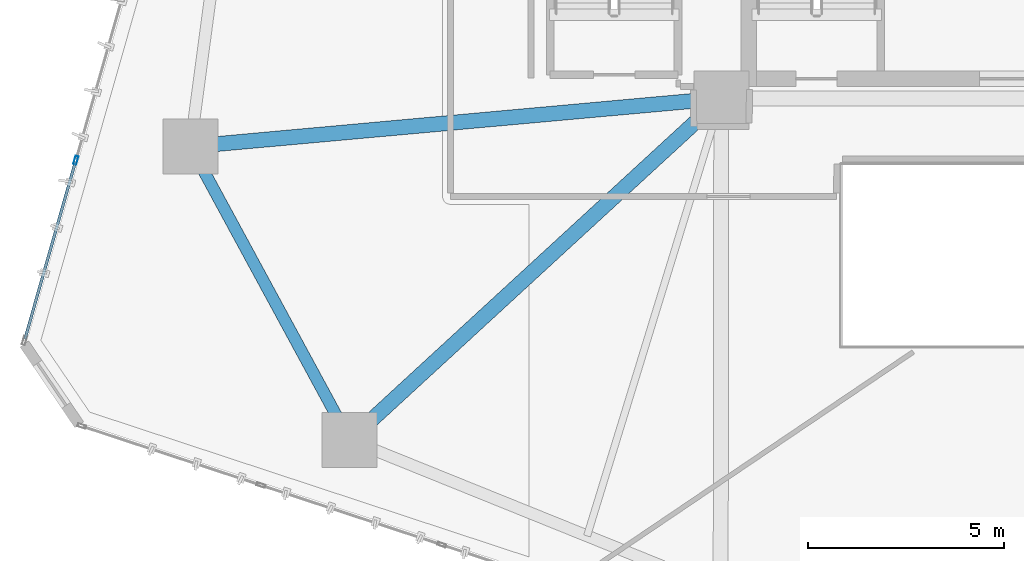
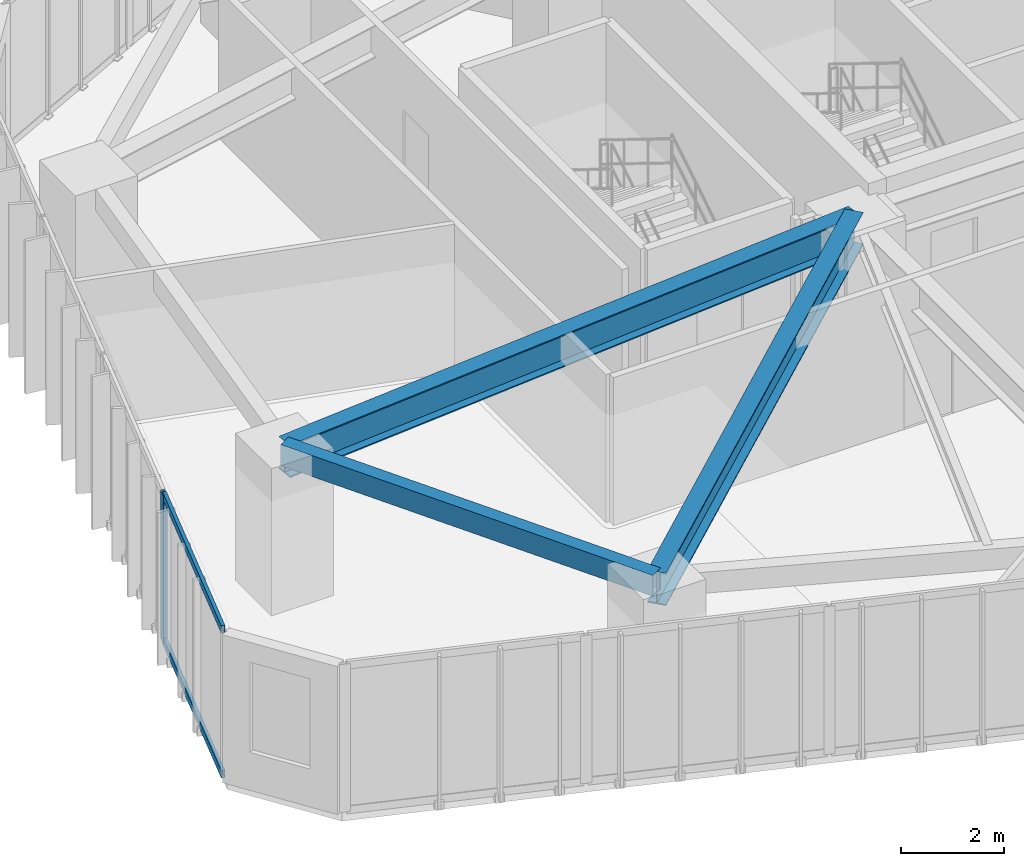
# One storey, part 3 of 23: 3 beams, 3 members, 1 element without a shape of its own.
"""IFC4 building model written with IfcOpenShell, lengths in metres."""

import ifcopenshell
import ifcopenshell.guid

model = None  # the IFC model being written
_history = None  # IfcOwnerHistory: only IFC2X3 demands one
_inside = {}  # id of a spatial element -> (the spatial element, [elements in it])
_under = {}  # id of a project, library or spatial element -> (it, [spatial elements below it])
_declared = {}  # id of a project -> (the project, [libraries it declares])
_typed = {}  # id of a type object -> (the type object, [elements of that type])
_made_of = {}  # id of a material, layer set ... -> (it, [elements and type objects made of it])


def new_model(schema):
    """Start an empty IFC model of exactly this schema.

    Asked for "IFC4X3", IfcOpenShell would pick the latest addendum, in which some entities
    have other attributes; the version numbers below select the first issue.
    IFC2X3 requires an IfcOwnerHistory on every rooted entity: one is made here for all.
    """
    global model, _history
    if schema == "IFC4X3":
        model = ifcopenshell.file(schema_version=(4, 3, 0, 0))
    else:
        model = ifcopenshell.file(schema=schema)
    _inside.clear()
    _under.clear()
    _declared.clear()
    _typed.clear()
    _made_of.clear()
    _history = None
    if model.schema == "IFC2X3":
        org = make("IfcOrganization", Name="unknown")
        user = make(
            "IfcPersonAndOrganization",
            ThePerson=make("IfcPerson", FamilyName="unknown"),
            TheOrganization=org,
        )
        app = make(
            "IfcApplication",
            ApplicationDeveloper=org,
            Version="unknown",
            ApplicationFullName="unknown",
            ApplicationIdentifier="unknown",
        )
        _history = make(
            "IfcOwnerHistory",
            OwningUser=user,
            OwningApplication=app,
            ChangeAction="ADDED",
            CreationDate=0,
        )
    return model


def make(cls, **values):
    """One entity of the class cls with the attributes given. An attribute that is None is left unset."""
    return model.create_entity(
        cls, **{name: value for name, value in values.items() if value is not None}
    )


def rooted(cls, **values):
    """An entity with a GlobalId (a new one), such as an element, a storey or a relation."""
    return make(cls, GlobalId=ifcopenshell.guid.new(), OwnerHistory=_history, **values)


def si_unit(unit_type, name, prefix=None):
    """IfcSIUnit, for example si_unit("LENGTHUNIT", "METRE", prefix="MILLI")."""
    return make("IfcSIUnit", UnitType=unit_type, Prefix=prefix, Name=name)


def assignment(units):
    """IfcUnitAssignment: the units of a project."""
    return None if units is None else make("IfcUnitAssignment", Units=units)


def point(xyz):
    """IfcCartesianPoint."""
    return None if xyz is None else make("IfcCartesianPoint", Coordinates=xyz)


def direction(xyz):
    """IfcDirection."""
    return None if xyz is None else make("IfcDirection", DirectionRatios=xyz)


def frame(location, z_axis=None, x_axis=None):
    """IfcAxis2Placement3D, a coordinate frame: its origin and axes. An axis left out is left unset."""
    return make(
        "IfcAxis2Placement3D",
        Location=point(location),
        Axis=direction(z_axis),
        RefDirection=direction(x_axis),
    )


def frame_2d(location, x_axis=None):
    """IfcAxis2Placement2D, a coordinate frame in the plane: its origin and x axis."""
    return make(
        "IfcAxis2Placement2D", Location=point(location), RefDirection=direction(x_axis)
    )


def origin():
    """The frame at (0, 0, 0) with its axes left unset."""
    return frame((0.0, 0.0, 0.0))


def origin_2d():
    """The frame at (0, 0) in the plane with its x axis left unset."""
    return frame_2d((0.0, 0.0))


def place(relative_to, where):
    """IfcLocalPlacement: puts the frame where relative to a parent placement (None: the world)."""
    return make(
        "IfcLocalPlacement", PlacementRelTo=relative_to, RelativePlacement=where
    )


def context(
    kind, dimensions, precision=None, world=None, true_north=None, identifier=None
):
    """IfcGeometricRepresentationContext, for example the 3D "Model" context."""
    return make(
        "IfcGeometricRepresentationContext",
        ContextIdentifier=identifier,
        ContextType=kind,
        CoordinateSpaceDimension=dimensions,
        Precision=precision,
        WorldCoordinateSystem=world,
        TrueNorth=true_north,
    )


def subcontext(parent, identifier, kind, view, scale=None):
    """IfcGeometricRepresentationSubContext, for example "Body" below "Model"."""
    return make(
        "IfcGeometricRepresentationSubContext",
        ContextIdentifier=identifier,
        ContextType=kind,
        ParentContext=parent,
        TargetScale=scale,
        TargetView=view,
    )


def project(units=None, contexts=None):
    """IfcProject with its units and contexts."""
    return rooted(
        "IfcProject",
        Name="project",
        RepresentationContexts=contexts,
        UnitsInContext=assignment(units),
    )


def spatial(cls, under=None, at=None, **own):
    """A site, building, storey or space (cls), placed at a placement, below another one or the project."""
    s = rooted(cls, ObjectPlacement=at, **own)
    if under is not None:
        _under.setdefault(under.id(), (under, []))[1].append(s)
    return s


def profile(cls, at=None, kind="AREA", **sizes):
    """A parametric profile (cls). Its sizes go by their IFC names, for example OverallWidth=200.0."""
    return make(cls, ProfileType=kind, Position=at, **sizes)


def hollow_rectangle(**sizes):
    """IfcRectangleHollowProfileDef."""
    return profile("IfcRectangleHollowProfileDef", **sizes)


def i_section(**sizes):
    """IfcIShapeProfileDef."""
    return profile("IfcIShapeProfileDef", **sizes)


def extrude(swept, where, along, depth):
    """IfcExtrudedAreaSolid: the profile swept, set in the frame where, extruded along a direction by depth."""
    return make(
        "IfcExtrudedAreaSolid",
        SweptArea=swept,
        Position=where,
        ExtrudedDirection=direction(along),
        Depth=depth,
    )


def shape(context_of_items, identifier, shape_type, items):
    """IfcShapeRepresentation: the items that make up one representation, for example the "Body"."""
    return make(
        "IfcShapeRepresentation",
        ContextOfItems=context_of_items,
        RepresentationIdentifier=identifier,
        RepresentationType=shape_type,
        Items=items,
    )


def source(mapping_origin, context_of_items, identifier, shape_type, items):
    """IfcRepresentationMap: a shape defined once, which mapped items show again and again."""
    return make(
        "IfcRepresentationMap",
        MappingOrigin=mapping_origin,
        MappedRepresentation=shape(context_of_items, identifier, shape_type, items),
    )


def transform(
    local_origin,
    x_axis=None,
    y_axis=None,
    z_axis=None,
    scale=None,
    scale2=None,
    scale3=None,
    uniform=True,
):
    """IfcCartesianTransformationOperator3D, or its non-uniform kind. x_axis, y_axis, z_axis: its Axis1, 2, 3."""
    if uniform:
        return make(
            "IfcCartesianTransformationOperator3D",
            Axis1=direction(x_axis),
            Axis2=direction(y_axis),
            LocalOrigin=point(local_origin),
            Scale=scale,
            Axis3=direction(z_axis),
        )
    return make(
        "IfcCartesianTransformationOperator3DnonUniform",
        Axis1=direction(x_axis),
        Axis2=direction(y_axis),
        LocalOrigin=point(local_origin),
        Scale=scale,
        Axis3=direction(z_axis),
        Scale2=scale2,
        Scale3=scale3,
    )


def mapped(mapping_source, mapping_target):
    """IfcMappedItem: shows the shape of a source again, moved by a transform."""
    return make(
        "IfcMappedItem", MappingSource=mapping_source, MappingTarget=mapping_target
    )


def material(Name=None, Category=None):
    """IfcMaterial."""
    return make("IfcMaterial", Name=Name, Category=Category)


def layer(
    of_material, thickness, ventilated=None, Name=None, Category=None, Priority=None
):
    """IfcMaterialLayer: one layer of a wall or slab, of a material (None: an air gap)."""
    return make(
        "IfcMaterialLayer",
        Material=of_material,
        LayerThickness=thickness,
        IsVentilated=ventilated,
        Name=Name,
        Category=Category,
        Priority=Priority,
    )


def layer_set(layers, Name=None):
    """IfcMaterialLayerSet."""
    return make("IfcMaterialLayerSet", MaterialLayers=layers, LayerSetName=Name)


def material_profile(
    of_material, cross_section, Name=None, Category=None, Priority=None
):
    """IfcMaterialProfile: a cross section and its material."""
    return make(
        "IfcMaterialProfile",
        Name=Name,
        Material=of_material,
        Profile=cross_section,
        Priority=Priority,
        Category=Category,
    )


def profile_set(profiles, Name=None, composite=None):
    """IfcMaterialProfileSet."""
    return make(
        "IfcMaterialProfileSet",
        Name=Name,
        MaterialProfiles=profiles,
        CompositeProfile=composite,
    )


def made_of(thing, what):
    """Note that an element or type object is made of a material, layer set ...; save() writes the relation."""
    if what is not None:
        _made_of.setdefault(what.id(), (what, []))[1].append(thing)
    return thing


def type_object(cls, material=None, **own):
    """A type object (cls), such as IfcWallType, which elements share."""
    return made_of(rooted(cls, **own), material)


def type_shapes(of_type, sources):
    """Give a type object the sources (RepresentationMaps) that its elements show as mapped items."""
    of_type.RepresentationMaps = sources


def element(
    cls,
    number,
    at=None,
    inside=None,
    cuts=None,
    type_object=None,
    material=None,
    context=None,
    identifier="Body",
    shape_type=None,
    held_by="IfcProductDefinitionShape",
    body=None,
    shapes=None,
    **own,
):
    """One element of the class cls, such as IfcWall. Its Tag is "e" and its number.

    at: its placement. inside: the storey or other place that contains it. cuts: it is an
    opening in that element (IfcRelVoidsElement). A single representation is given by context,
    identifier, shape_type and body (its items); several are given by shapes. held_by: the class
    of the entity that holds the representations. save() writes the other relations.
    """
    e = rooted(cls, Tag="e%d" % number, ObjectPlacement=at, **own)
    if body is not None:
        shapes = [shape(context, identifier, shape_type, body)]
    if shapes is not None:
        e.Representation = make(held_by, Representations=shapes)
    if inside is not None:
        _inside.setdefault(inside.id(), (inside, []))[1].append(e)
    if cuts is not None:
        rooted(
            "IfcRelVoidsElement", RelatingBuildingElement=cuts, RelatedOpeningElement=e
        )
    if type_object is not None:
        _typed.setdefault(type_object.id(), (type_object, []))[1].append(e)
    return made_of(e, material)


def aggregate(whole, parts):
    """IfcRelAggregates: a whole, such as a stair, and the parts it consists of."""
    return rooted("IfcRelAggregates", RelatingObject=whole, RelatedObjects=parts)


def save(model, path):
    """Write the relations noted so far, then the file.

    IfcRelAggregates (storeys below a building ...), IfcRelContainedInSpatialStructure (elements
    in a storey), IfcRelDefinesByType, IfcRelAssociatesMaterial and IfcRelDeclares: one each for
    every whole, place, type object, material and project.
    """
    for whole, parts in _under.values():
        aggregate(whole, parts)
    for where, things in _inside.values():
        rooted(
            "IfcRelContainedInSpatialStructure",
            RelatedElements=things,
            RelatingStructure=where,
        )
    for kind, things in _typed.values():
        rooted("IfcRelDefinesByType", RelatedObjects=things, RelatingType=kind)
    for what, things in _made_of.values():
        rooted("IfcRelAssociatesMaterial", RelatedObjects=things, RelatingMaterial=what)
    for by, libraries in _declared.values():
        rooted("IfcRelDeclares", RelatingContext=by, RelatedDefinitions=libraries)
    model.write(path)


model = new_model("IFC4")

# Units and contexts
model_context = context("Model", 3, precision=1e-05, world=origin(), true_north=direction((0.0, 1.0)))
body_context = subcontext(model_context, "Body", "Model", "MODEL_VIEW")
ifc_project = project(units=[si_unit("LENGTHUNIT", "METRE"), si_unit("AREAUNIT", "SQUARE_METRE"), si_unit("VOLUMEUNIT", "CUBIC_METRE"), si_unit("PLANEANGLEUNIT", "RADIAN"), si_unit("MASSUNIT", "GRAM", prefix="KILO")], contexts=[model_context])

# Site, building, storey
site_placement = place(None, origin())
site = spatial("IfcSite", under=ifc_project, at=site_placement, CompositionType="ELEMENT")
building_placement = place(site_placement, origin())
building = spatial("IfcBuilding", under=site, at=building_placement, Name="Talar Marvaseh", CompositionType="ELEMENT")
storey_placement = place(building_placement, frame((0.0, 0.0, 35.39990234375)))
storey = spatial("IfcBuildingStorey", under=building, at=storey_placement, Name="L08", CompositionType="ELEMENT", Elevation=35.39990234375)

# Beams
ifc_material_1 = material(Name="Steel S355", Category="steel")
ifc_material_profile_1 = material_profile(ifc_material_1, hollow_rectangle(XDim=0.300048828125, YDim=0.5, WallThickness=0.02001953125, at=origin_2d()), Name="RHS500x300x20")
ifc_profile_set_1 = profile_set([ifc_material_profile_1], Name="Steel S355")
beam_type_1 = type_object("IfcBeamType", Name="Zone 1 Perimeter Spandrel Beam RHS500x300x20", PredefinedType="SPANDREL", material=ifc_profile_set_1)
beam_1_placement = place(storey_placement, frame((9.23193359375, 16.7958984375, 3.27001953125), z_axis=(-0.476758155578, 0.879034505062, 0.0), x_axis=(-0.879034505062, -0.476758155578, 0.0)))
element("IfcBeam", 1, at=beam_1_placement, inside=storey, type_object=beam_type_1, Name="L08 Zone 1 Perimeter Spandrel Beam RHS500x300x20", PredefinedType="SPANDREL", context=body_context, shape_type="SweptSolid", body=[
    extrude(hollow_rectangle(XDim=0.300048828125, YDim=0.5, WallThickness=0.02001953125, at=origin_2d()), origin(), (0.0, 0.0, 1.0), 8.50927734375),
])
ifc_material_profile_2 = material_profile(ifc_material_1, i_section(OverallWidth=0.381103515625, OverallDepth=0.77294921875, WebThickness=0.0166015625, FlangeThickness=0.027099609375, at=origin_2d()), Name="W760x257")
ifc_profile_set_2 = profile_set([ifc_material_profile_2], Name="Steel S355")
beam_type_2 = type_object("IfcBeamType", Name="Zone 1 Radial Floor Girder W760x257", PredefinedType="BEAM", material=ifc_profile_set_2)
beam_2_placement = place(storey_placement, frame((9.23193359375, 16.7958984375, 3.133544921875), z_axis=(0.736181804049, 0.676783829142, 0.0), x_axis=(-0.676783829142, 0.736181804049, 0.0)))
element("IfcBeam", 2, at=beam_2_placement, inside=storey, type_object=beam_type_2, Name="L08 Zone 1 Radial Floor Girder W760x257", PredefinedType="BEAM", context=body_context, shape_type="SweptSolid", body=[
    extrude(i_section(OverallWidth=0.381103515625, OverallDepth=0.77294921875, WebThickness=0.0166015625, FlangeThickness=0.027099609375, at=origin_2d()), origin(), (0.0, 0.0, 1.0), 12.861083984375),
])
beam_3_placement = place(storey_placement, frame((5.175048828125, 24.27587890625, 3.133544921875), z_axis=(0.995929083348, 0.090140229321, 0.0), x_axis=(-0.090140229321, 0.995929083348, 0.0)))
element("IfcBeam", 3, at=beam_3_placement, inside=storey, type_object=beam_type_2, Name="L08 Zone 1 Radial Floor Girder W760x257", PredefinedType="BEAM", context=body_context, shape_type="SweptSolid", body=[
    extrude(i_section(OverallWidth=0.381103515625, OverallDepth=0.77294921875, WebThickness=0.0166015625, FlangeThickness=0.027099609375, at=origin_2d()), origin(), (0.0, 0.0, 1.0), 13.580078125),
])

# Curtain wall, members
ifc_material_2 = material(Name="Architectural Aluminium", Category="aluminium")
ifc_layer = layer(ifc_material_2, 0.219970703125)
ifc_layer_set = layer_set([ifc_layer], Name="Architectural Aluminium")
curtain_wall_type = type_object("IfcCurtainWallType", Name="Unitised Low-E Museum Curtain Wall Z1", PredefinedType="NOTDEFINED", material=ifc_layer_set)
curtain_wall_placement = place(storey_placement, origin())
curtain_wall = element("IfcCurtainWall", 4, at=curtain_wall_placement, inside=storey, type_object=curtain_wall_type, Name="L08 Unitised Low-E Museum Curtain Wall Z1", PredefinedType="NOTDEFINED")
ifc_material_profile_3 = material_profile(ifc_material_2, hollow_rectangle(XDim=0.080078125, YDim=0.219970703125, WallThickness=0.0048828125, at=origin_2d()), Name="RHS220x80x5")
ifc_profile_set_3 = profile_set([ifc_material_profile_3], Name="Architectural Aluminium")
member_type_1 = type_object("IfcMemberType", Name="Unitised Curtain Wall Heavy Mullion RHS220x80x5", PredefinedType="MULLION", material=ifc_profile_set_3)
shared_shape_1 = source(origin(), body_context, "Body", "SweptSolid", [
    extrude(hollow_rectangle(XDim=0.080078125, YDim=0.219970703125, WallThickness=0.0048828125, at=origin_2d()), origin(), (0.0, 0.0, 1.0), 3.52001953125),
])
type_shapes(member_type_1, [shared_shape_1])
member_1_placement = place(storey_placement, frame((2.256591796875, 23.923583984375, 0.0), z_axis=(0.0, 0.0, 1.0), x_axis=(-0.961722496607, 0.274025253434, 0.0)))
member_1 = element("IfcMember", 5, at=member_1_placement, type_object=member_type_1, Name="CW-Z1 mullion 2", PredefinedType="MULLION", context=body_context, shape_type="MappedRepresentation", body=[
    mapped(shared_shape_1, transform((0.0, 0.0, 0.0), x_axis=(1.0, 0.0, 0.0), y_axis=(0.0, 1.0, 0.0), z_axis=(0.0, 0.0, 1.0), scale=1.0)),
])
ifc_material_profile_4 = material_profile(ifc_material_2, hollow_rectangle(XDim=0.074951171875, YDim=0.179931640625, WallThickness=0.0048828125, at=origin_2d()), Name="RHS180x75x5")
ifc_profile_set_4 = profile_set([ifc_material_profile_4], Name="Architectural Aluminium")
member_type_2 = type_object("IfcMemberType", Name="Unitised Curtain Wall Transom RHS180x75x5", PredefinedType="USERDEFINED", material=ifc_profile_set_4)
shared_shape_2 = source(origin(), body_context, "Body", "SweptSolid", [
    extrude(hollow_rectangle(XDim=0.074951171875, YDim=0.179931640625, WallThickness=0.0048828125, at=origin_2d()), origin(), (0.0, 0.0, 1.0), 4.696533203125),
])
type_shapes(member_type_2, [shared_shape_2])
member_2_placement = place(storey_placement, frame((0.958740234375, 19.3681640625, 0.03759765625), z_axis=(0.27400016024, 0.9617296461, 0.0), x_axis=(-0.9617296461, 0.27400016024, 0.0)))
member_2 = element("IfcMember", 6, at=member_2_placement, type_object=member_type_2, Name="CW-Z1 transom 1.1", ObjectType="TRANSOM", PredefinedType="USERDEFINED", context=body_context, shape_type="MappedRepresentation", body=[
    mapped(shared_shape_2, transform((0.0, 0.0, 0.0), x_axis=(1.0, 0.0, 0.0), y_axis=(0.0, 1.0, 0.0), z_axis=(0.0, 0.0, 1.0), scale=1.0)),
])
member_3_placement = place(storey_placement, frame((0.958740234375, 19.3681640625, 3.482666015625), z_axis=(0.27400016024, 0.9617296461, 0.0), x_axis=(-0.9617296461, 0.27400016024, 0.0)))
member_3 = element("IfcMember", 7, at=member_3_placement, type_object=member_type_2, Name="CW-Z1 transom 1.2", ObjectType="TRANSOM", PredefinedType="USERDEFINED", context=body_context, shape_type="MappedRepresentation", body=[
    mapped(shared_shape_2, transform((0.0, 0.0, 0.0), x_axis=(1.0, 0.0, 0.0), y_axis=(0.0, 1.0, 0.0), z_axis=(0.0, 0.0, 1.0), scale=1.0)),
])
aggregate(curtain_wall, [member_1, member_2, member_3])

save(model, "model.ifc")
